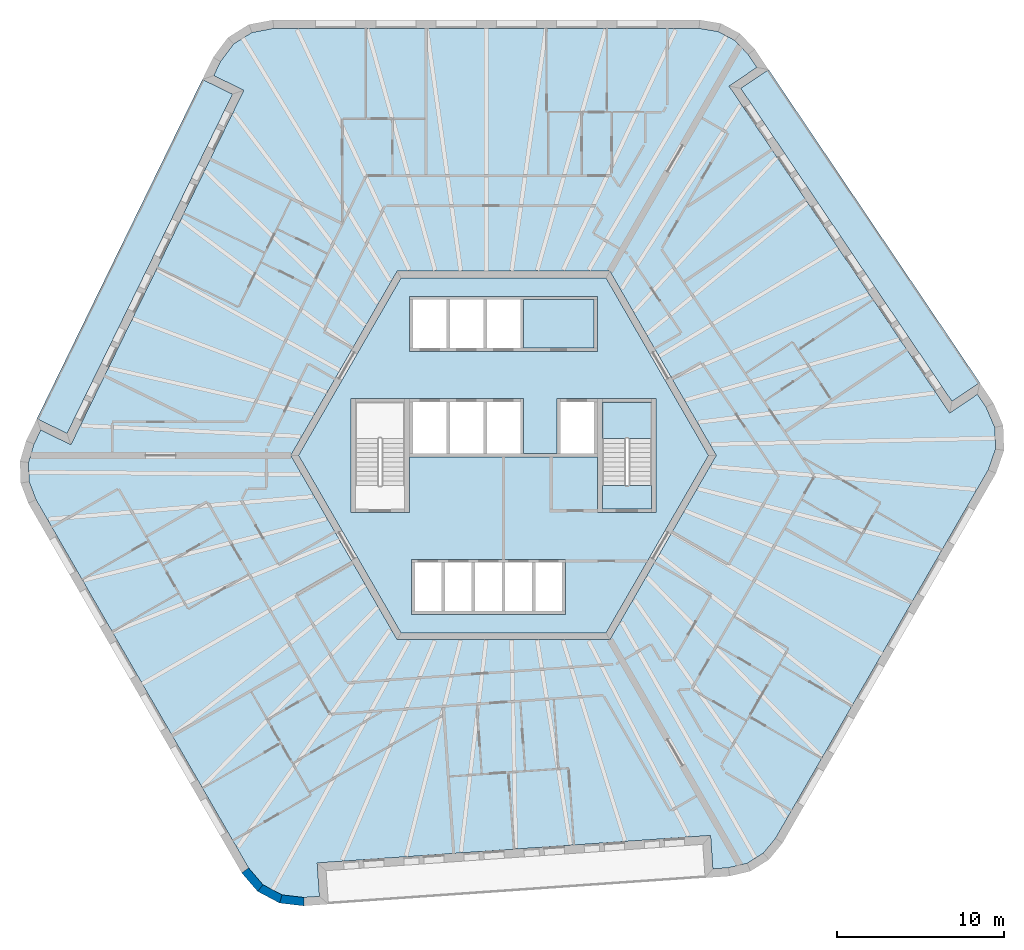
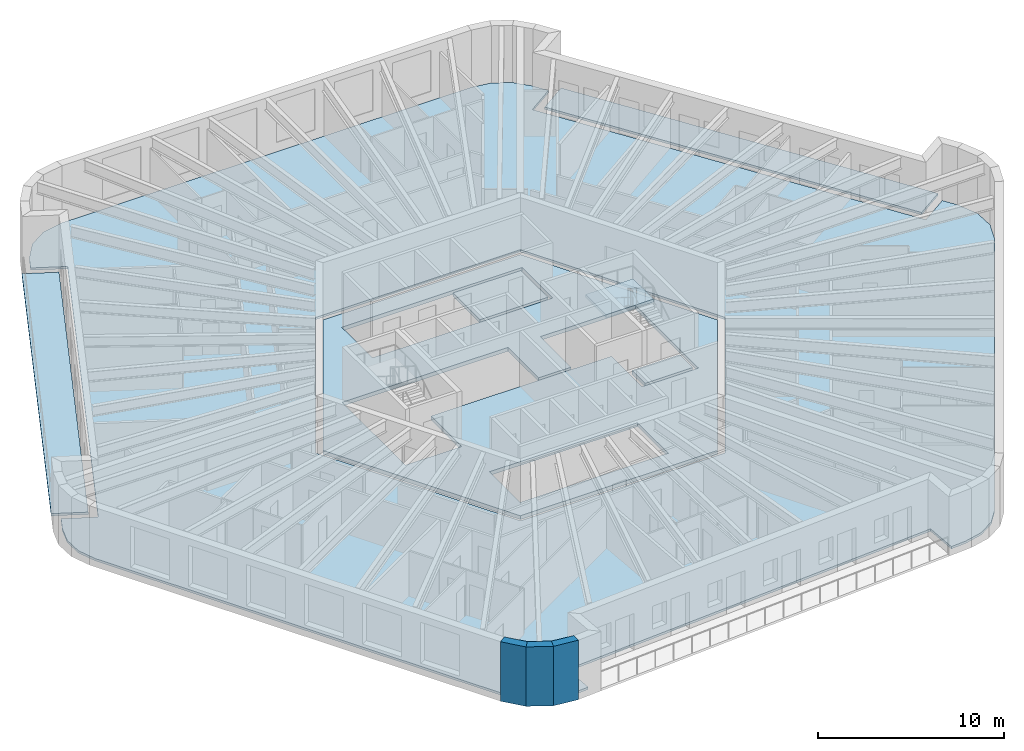
# One storey, part 2 of 12: 7 slabs, 3 walls, 1 element without a shape of its own.
"""IFC4 building model written with IfcOpenShell, lengths in metres."""

from ifc_helpers import new_model, si_unit, direction, frame, origin, place, context, subcontext, project, spatial, polyline, outline, extrude, material, layer, layer_set, type_object, element, aggregate, save


model = new_model("IFC4")

# Units and contexts
model_context = context("Model", 3, precision=1e-05, world=origin(), true_north=direction((0.0, 1.0)))
body_context = subcontext(model_context, "Body", "Model", "MODEL_VIEW")
ifc_project = project(units=[si_unit("LENGTHUNIT", "METRE"), si_unit("AREAUNIT", "SQUARE_METRE"), si_unit("VOLUMEUNIT", "CUBIC_METRE"), si_unit("PLANEANGLEUNIT", "RADIAN"), si_unit("MASSUNIT", "GRAM", prefix="KILO")], contexts=[model_context])

# Site, building, storey
site_placement = place(None, origin())
site = spatial("IfcSite", under=ifc_project, at=site_placement, CompositionType="ELEMENT")
building_placement = place(site_placement, origin())
building = spatial("IfcBuilding", under=site, at=building_placement, Name="Tarnside Tower", CompositionType="ELEMENT")
storey_placement = place(building_placement, frame((0.0, 0.0, 318.60009765625)))
storey = spatial("IfcBuildingStorey", under=building, at=storey_placement, Name="L77", CompositionType="ELEMENT", Elevation=318.60009765625)

# Slabs
ifc_material_1 = material(Name="Concrete C35/45", Category="concrete")
ifc_layer_1 = layer(ifc_material_1, 0.14990234375)
ifc_layer_set_1 = layer_set([ifc_layer_1], Name="Composite floor slab 150")
slab_type_1 = type_object("IfcSlabType", Name="Composite floor slab 150", PredefinedType="FLOOR", material=ifc_layer_set_1)
slab_1_placement = place(storey_placement, frame((0.0, 0.0, -0.150146484375)))
element("IfcSlab", 1, at=slab_1_placement, inside=storey, type_object=slab_type_1, Name="Floor slab L77", PredefinedType="FLOOR", context=body_context, shape_type="SweptSolid", body=[
    extrude(outline(polyline([(12.81689453125, 25.312744140625), (13.818115234375, 24.7802734375), (14.610595703125, 23.940185546875), (15.130615234375, 23.169677734375), (13.472412109375, 22.05126953125), (26.638427734375, 2.53173828125), (28.29638671875, 3.650146484375), (28.814697265625, 2.8818359375), (29.336669921875, 1.671875), (29.3818359375, 0.378662109375), (28.945556640625, -0.864990234375), (16.2451171875, -22.86279296875), (15.51318359375, -23.756103515625), (14.55126953125, -24.35693359375), (13.427490234375, -24.623291015625), (12.500244140625, -24.688232421875), (12.360595703125, -22.693115234375), (-11.126708984375, -24.33544921875), (-10.9873046875, -26.33056640625), (-11.91162109375, -26.395263671875), (-13.220458984375, -26.2421875), (-14.363037109375, -25.634765625), (-15.2216796875, -24.635009765625), (-27.922119140625, -2.63720703125), (-28.329833984375, -1.556640625), (-28.369384765625, -0.42333984375), (-28.0380859375, 0.68310546875), (-27.630615234375, 1.5185546875), (-25.8330078125, 0.641845703125), (-15.51171875, 21.8037109375), (-17.309326171875, 22.680419921875), (-16.903076171875, 23.51318359375), (-16.1162109375, 24.5703125), (-15.018798828125, 25.256103515625), (-13.723876953125, 25.5), (11.67724609375, 25.5), (12.81689453125, 25.312744140625)]), holes=[polyline([(-12.70166015625, 0.0), (-6.350830078125, -11.0), (6.350830078125, -11.0), (12.70166015625, 0.0), (6.350830078125, 11.0), (-6.350830078125, 11.0), (-12.70166015625, 0.0)])]), origin(), (0.0, 0.0, 1.0), 0.150146484375),
])
ifc_material_2 = material(Name="Concrete C40/50", Category="concrete")
ifc_layer_2 = layer(ifc_material_2, 0.25)
ifc_layer_set_2 = layer_set([ifc_layer_2], Name="Core slab C40/50")
slab_type_2 = type_object("IfcSlabType", Name="Core slab C40/50", PredefinedType="FLOOR", material=ifc_layer_set_2)
slab_2_placement = place(storey_placement, frame((0.0, 0.0, -0.25)))
element("IfcSlab", 2, at=slab_2_placement, inside=storey, type_object=slab_type_2, Name="L77 core floor slab 1", PredefinedType="FLOOR", context=body_context, shape_type="SweptSolid", body=[
    extrude(outline(polyline([(6.119873046875, 10.60009765625), (12.23974609375, 0.0), (6.119873046875, -10.60009765625), (-6.119873046875, -10.60009765625), (-12.23974609375, 0.0), (-6.119873046875, 10.60009765625), (6.119873046875, 10.60009765625)]), holes=[polyline([(-5.5, -9.5), (3.699951171875, -9.5), (3.699951171875, -9.300048828125), (3.699951171875, -6.39990234375), (3.699951171875, -6.199951171875), (-5.5, -6.199951171875), (-5.5, -6.39990234375), (-5.5, -9.300048828125), (-5.5, -9.5)]), polyline([(-5.60009765625, -3.39990234375), (-5.60009765625, -0.10009765625), (5.60009765625, -0.10009765625), (5.60009765625, -3.39990234375), (5.89990234375, -3.39990234375), (8.85009765625, -3.39990234375), (9.10009765625, -3.39990234375), (9.10009765625, 3.39990234375), (8.85009765625, 3.39990234375), (5.89990234375, 3.39990234375), (5.60009765625, 3.39990234375), (3.39990234375, 3.39990234375), (3.199951171875, 3.39990234375), (3.199951171875, 0.10009765625), (1.199951171875, 0.10009765625), (1.199951171875, 3.39990234375), (1.0, 3.39990234375), (-5.60009765625, 3.39990234375), (-5.89990234375, 3.39990234375), (-8.85009765625, 3.39990234375), (-9.10009765625, 3.39990234375), (-9.10009765625, -3.39990234375), (-8.85009765625, -3.39990234375), (-5.89990234375, -3.39990234375), (-5.60009765625, -3.39990234375)]), polyline([(-5.60009765625, 6.199951171875), (5.60009765625, 6.199951171875), (5.60009765625, 6.39990234375), (5.60009765625, 9.300048828125), (5.60009765625, 9.5), (-5.60009765625, 9.5), (-5.60009765625, 9.300048828125), (-5.60009765625, 6.39990234375), (-5.60009765625, 6.199951171875)])]), origin(), (0.0, 0.0, 1.0), 0.25),
])
slab_3_placement = place(storey_placement, frame((0.0, 0.0, -0.25)))
element("IfcSlab", 3, at=slab_3_placement, inside=storey, type_object=slab_type_2, Name="L77 core floor slab 3", PredefinedType="FLOOR", context=body_context, shape_type="SweptSolid", body=[
    extrude(outline(polyline([(5.89990234375, -1.800048828125), (8.85009765625, -1.800048828125), (8.85009765625, -3.199951171875), (5.89990234375, -3.199951171875), (5.89990234375, -1.800048828125)])), origin(), (0.0, 0.0, 1.0), 0.25),
])
slab_4_placement = place(storey_placement, frame((0.0, 0.0, -0.25)))
element("IfcSlab", 4, at=slab_4_placement, inside=storey, type_object=slab_type_2, Name="L77 core floor slab 4", PredefinedType="FLOOR", context=body_context, shape_type="SweptSolid", body=[
    extrude(outline(polyline([(5.39990234375, 6.39990234375), (1.199951171875, 6.39990234375), (1.199951171875, 9.300048828125), (5.39990234375, 9.300048828125), (5.39990234375, 6.39990234375)])), origin(), (0.0, 0.0, 1.0), 0.25),
])
ifc_material_3 = material(Name="Timber decking", Category="wood")
ifc_layer_3 = layer(ifc_material_3, 0.0400390625)
ifc_material_4 = material(Name="Concrete C60/75 precast", Category="concrete")
ifc_layer_4 = layer(ifc_material_4, 0.110107421875)
ifc_layer_set_3 = layer_set([ifc_layer_3, ifc_layer_4], Name="Loggia deck 150")
slab_type_3 = type_object("IfcSlabType", Name="Loggia deck 150", PredefinedType="FLOOR", material=ifc_layer_set_3)
slab_5_placement = place(storey_placement, frame((0.0, 0.0, -0.150146484375)))
element("IfcSlab", 5, at=slab_5_placement, inside=storey, type_object=slab_type_3, Name="Loggia deck L77 F2", PredefinedType="FLOOR", context=body_context, shape_type="SweptSolid", body=[
    extrude(outline(polyline([(-16.180419921875, 21.573486328125), (-26.063232421875, 1.310302734375), (-27.86083984375, 2.187255859375), (-17.97802734375, 22.4501953125), (-16.180419921875, 21.573486328125)])), origin(), (0.0, 0.0, 1.0), 0.150146484375),
])
slab_6_placement = place(storey_placement, frame((0.0, 0.0, -0.150146484375)))
element("IfcSlab", 6, at=slab_6_placement, inside=storey, type_object=slab_type_3, Name="Loggia deck L77 F6", PredefinedType="FLOOR", context=body_context, shape_type="SweptSolid", body=[
    extrude(outline(polyline([(26.7734375, 3.225830078125), (14.16650390625, 21.916259765625), (15.82470703125, 23.03466796875), (28.431396484375, 4.34423828125), (26.7734375, 3.225830078125)])), origin(), (0.0, 0.0, 1.0), 0.150146484375),
])

# Stair, slab
stair_type = type_object("IfcStairType", Name="Exit stair 1400 clear", PredefinedType="HALF_TURN_STAIR", material=ifc_material_2)
stair_placement = place(storey_placement, origin())
stair = element("IfcStair", 7, at=stair_placement, inside=storey, type_object=stair_type, Name="L77 Exit stair 1", PredefinedType="HALF_TURN_STAIR")
ifc_layer_5 = layer(ifc_material_2, 0.199951171875)
ifc_layer_set_4 = layer_set([ifc_layer_5], Name="Stair landing 200 C40/50")
slab_type_4 = type_object("IfcSlabType", Name="Stair landing 200 C40/50", PredefinedType="LANDING", material=ifc_layer_set_4)
slab_7_placement = place(storey_placement, frame((0.0, 0.0, 1.75)))
slab_7 = element("IfcSlab", 8, at=slab_7_placement, type_object=slab_type_4, Name="ST1 landing 1", PredefinedType="LANDING", context=body_context, shape_type="SweptSolid", body=[
    extrude(outline(polyline([(8.85009765625, 1.0), (8.85009765625, 3.199951171875), (5.89990234375, 3.199951171875), (5.89990234375, 1.0), (8.85009765625, 1.0)])), origin(), (0.0, 0.0, 1.0), 0.199951171875),
])
aggregate(stair, [slab_7])

# Walls
ifc_material_5 = material(Name="Facing brick", Category="masonry")
ifc_layer_6 = layer(ifc_material_5, 0.10205078125)
ifc_layer_7 = layer(ifc_material_4, 0.298095703125)
ifc_material_6 = material(Name="Mineral wool insulation")
ifc_layer_8 = layer(ifc_material_6, 0.10009765625)
ifc_layer_set_5 = layer_set([ifc_layer_6, ifc_layer_7, ifc_layer_8], Name="Tube wall 500 brick faced")
wall_type = type_object("IfcWallType", Name="Tube wall 500 brick faced", PredefinedType="SOLIDWALL", material=ifc_layer_set_5)
wall_1_placement = place(storey_placement, frame((-15.426513671875, -24.7802734375, -0.150146484375), z_axis=(0.0, 0.0, 1.0), x_axis=(0.651616566281, -0.758548515619, 0.0)))
element("IfcWall", 9, at=wall_1_placement, inside=storey, type_object=wall_type, Name="Tube wall L77 F3 chord 13", PredefinedType="SOLIDWALL", context=body_context, shape_type="SweptSolid", body=[
    extrude(outline(polyline([(-0.0234375, -0.25), (1.435302734375, -0.25), (1.341064453125, 0.25), (0.0234375, 0.25), (-0.0234375, -0.25)])), origin(), (0.0, 0.0, 1.0), 3.900146484375),
])
wall_2_placement = place(storey_placement, frame((-14.52197265625, -25.833251953125, -0.150146484375), z_axis=(0.0, 0.0, 1.0), x_axis=(0.882926676147, -0.469510899286, 0.0)))
element("IfcWall", 10, at=wall_2_placement, inside=storey, type_object=wall_type, Name="Tube wall L77 F3 chord 14", PredefinedType="SOLIDWALL", context=body_context, shape_type="SweptSolid", body=[
    extrude(outline(polyline([(-0.047119140625, -0.25), (1.435546875, -0.25), (1.34130859375, 0.25), (0.047119140625, 0.25), (-0.047119140625, -0.25)])), origin(), (0.0, 0.0, 1.0), 3.900146484375),
])
wall_3_placement = place(storey_placement, frame((-13.296142578125, -26.485107421875, -0.150146484375), z_axis=(0.0, 0.0, 1.0), x_axis=(0.993239161627, -0.116086036245, 0.0)))
element("IfcWall", 11, at=wall_3_placement, inside=storey, type_object=wall_type, Name="Tube wall L77 F3 chord 15", PredefinedType="SOLIDWALL", context=body_context, shape_type="SweptSolid", body=[
    extrude(outline(polyline([(-0.047119140625, -0.25), (1.411376953125, -0.25), (1.364501953125, 0.25), (0.047119140625, 0.25), (-0.047119140625, -0.25)])), origin(), (0.0, 0.0, 1.0), 3.900146484375),
])

save(model, "model.ifc")
